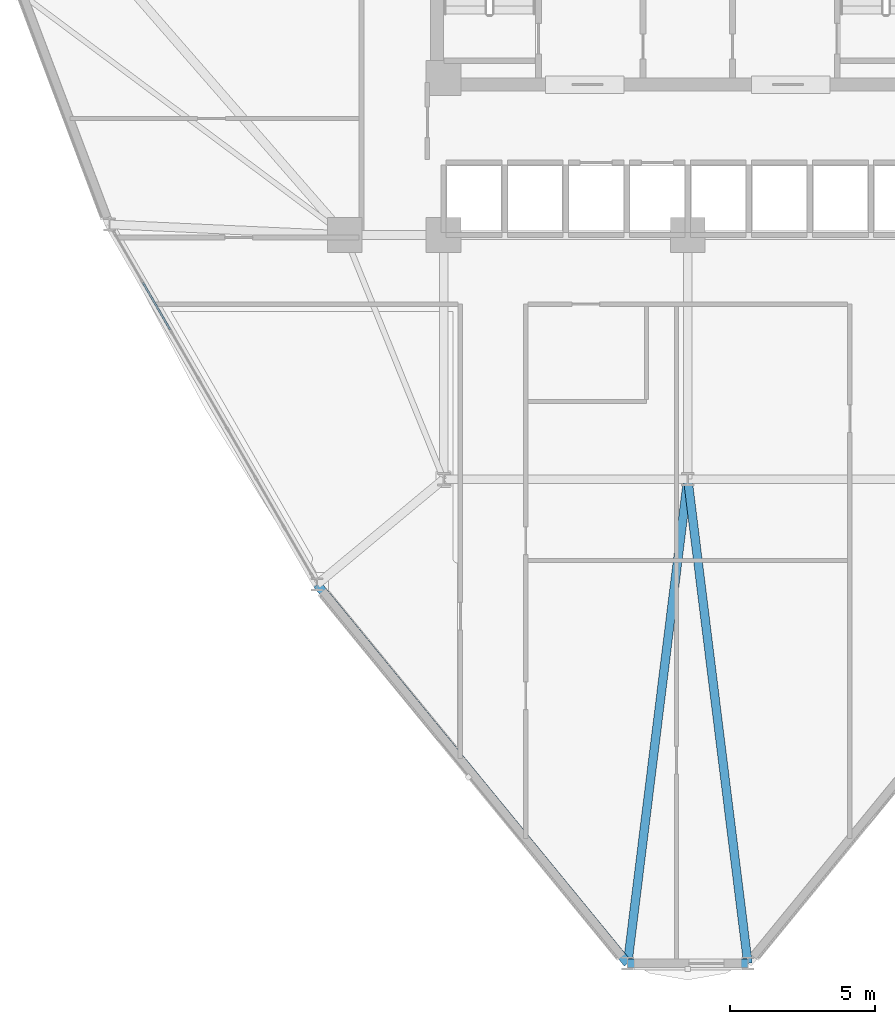
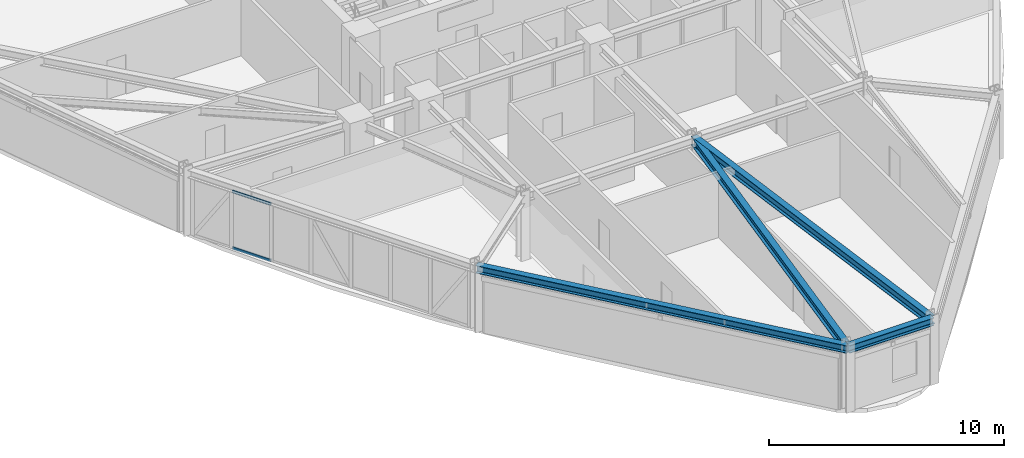
# One storey, part 3 of 17: 4 beams, 2 members, 1 element without a shape of its own.
"""IFC4 building model written with IfcOpenShell, lengths in metres."""

from ifc_helpers import new_model, si_unit, derived_unit, direction, frame, origin, origin_2d, place, context, subcontext, project, spatial, hollow_rectangle, i_section, extrude, source, transform, mapped, material, layer, layer_set, material_profile, profile_set, type_object, element, aggregate, save


model = new_model("IFC4")

# Units and contexts
model_context = context("Model", 3, precision=1e-05, world=origin(), true_north=direction((0.0, 1.0)))
body_context = subcontext(model_context, "Body", "Model", "MODEL_VIEW")
ifc_project = project(units=[si_unit("LENGTHUNIT", "METRE"), si_unit("AREAUNIT", "SQUARE_METRE"), si_unit("VOLUMEUNIT", "CUBIC_METRE"), si_unit("PLANEANGLEUNIT", "RADIAN"), si_unit("MASSUNIT", "GRAM", prefix="KILO"), derived_unit("THERMALTRANSMITTANCEUNIT", [(si_unit("POWERUNIT", "WATT"), 1), (si_unit("LENGTHUNIT", "METRE"), -2), (si_unit("THERMODYNAMICTEMPERATUREUNIT", "KELVIN"), -1)])], contexts=[model_context])

# Site, building, storey
site_placement = place(None, origin())
site = spatial("IfcSite", under=ifc_project, at=site_placement, CompositionType="ELEMENT")
building_placement = place(site_placement, origin())
building = spatial("IfcBuilding", under=site, at=building_placement, Name="Korsvarv Bourse and Concert Hall", CompositionType="ELEMENT")
storey_placement = place(building_placement, frame((0.0, 0.0, 102.60009765625)))
storey = spatial("IfcBuildingStorey", under=building, at=storey_placement, Name="L25", CompositionType="ELEMENT", Elevation=102.60009765625)

# Beams
ifc_material_1 = material(Name="Steel S355", Category="steel")
ifc_material_profile_1 = material_profile(ifc_material_1, i_section(OverallWidth=0.300048828125, OverallDepth=0.39990234375, WebThickness=0.013427734375, FlangeThickness=0.02392578125, FilletRadius=0.02099609375, at=origin_2d()), Name="HEB 400")
ifc_profile_set_1 = profile_set([ifc_material_profile_1], Name="Steel S355")
beam_type_1 = type_object("IfcBeamType", Name="BM-HEB400", PredefinedType="SPANDREL", material=ifc_profile_set_1)
shared_shape_1 = source(origin(), body_context, "Body", "SweptSolid", [
    extrude(i_section(OverallWidth=0.300048828125, OverallDepth=0.39990234375, WebThickness=0.013427734375, FlangeThickness=0.02392578125, FilletRadius=0.02099609375, at=origin_2d()), origin(), (0.0, 0.0, 1.0), 16.8564453125),
])
beam_1_placement = place(storey_placement, frame((23.248779296875, 20.3828125, 3.199951171875), z_axis=(0.63375425105, -0.773534452546, 0.0), x_axis=(0.773534452546, 0.63375425105, 0.0)))
element("IfcBeam", 1, at=beam_1_placement, inside=storey, type_object=beam_type_1, Name="L25 beam B-09", PredefinedType="SPANDREL", context=body_context, shape_type="MappedRepresentation", body=[
    mapped(shared_shape_1, transform((0.0, 0.0, 0.0), scale=1.0)),
])
shared_shape_2 = source(origin(), body_context, "Body", "SweptSolid", [
    extrude(i_section(OverallWidth=0.300048828125, OverallDepth=0.39990234375, WebThickness=0.013427734375, FlangeThickness=0.02392578125, FilletRadius=0.02099609375, at=origin_2d()), origin(), (0.0, 0.0, 1.0), 4.13671875),
])
beam_2_placement = place(storey_placement, frame((33.931640625, 7.34375, 3.199951171875), z_axis=(1.0, 0.0, 0.0), x_axis=(0.0, 1.0, 0.0)))
element("IfcBeam", 2, at=beam_2_placement, inside=storey, type_object=beam_type_1, Name="L25 beam B-09", PredefinedType="SPANDREL", context=body_context, shape_type="MappedRepresentation", body=[
    mapped(shared_shape_2, transform((0.0, 0.0, 0.0), scale=1.0)),
])
ifc_material_profile_2 = material_profile(ifc_material_1, i_section(OverallWidth=0.300048828125, OverallDepth=0.449951171875, WebThickness=0.013916015625, FlangeThickness=0.02587890625, FilletRadius=0.02099609375, at=origin_2d()), Name="HEB 450")
ifc_profile_set_2 = profile_set([ifc_material_profile_2], Name="Steel S355")
beam_type_2 = type_object("IfcBeamType", Name="BM-HEB450", PredefinedType="SPANDREL", material=ifc_profile_set_2)
shared_shape_3 = source(origin(), body_context, "Body", "SweptSolid", [
    extrude(i_section(OverallWidth=0.300048828125, OverallDepth=0.449951171875, WebThickness=0.013916015625, FlangeThickness=0.02587890625, FilletRadius=0.02099609375, at=origin_2d()), origin(), (0.0, 0.0, 1.0), 16.7841796875),
])
for number, where, z_axis, x_axis, name in (
    (3, (33.931640625, 7.34375, 3.1748046875), (0.123232656878, 0.992377807228, 0.0), (-0.992377807228, 0.123232656878, 0.0), "L25 beam B-08"),
    (4, (38.068359375, 7.34375, 3.1748046875), (-0.123232656878, 0.992377807228, 0.0), (-0.992377807228, -0.123232656878, 0.0), "L25 beam B-08"),
):
    element("IfcBeam", number, at=place(storey_placement, frame(where, z_axis=z_axis, x_axis=x_axis)), inside=storey, type_object=beam_type_2, Name=name, PredefinedType="SPANDREL", context=body_context, shape_type="MappedRepresentation", body=[
        mapped(shared_shape_3, transform((0.0, 0.0, 0.0), scale=1.0)),
    ])

# Curtain wall, members
ifc_material_2 = material(Name="Anodised aluminium and triple low-E glazing", Category="glass")
ifc_layer = layer(ifc_material_2, 0.2099609375)
ifc_layer_set = layer_set([ifc_layer], Name="Anodised aluminium and triple low-E glazing")
curtain_wall_type = type_object("IfcCurtainWallType", Name="CW-SYS-2", PredefinedType="NOTDEFINED", material=ifc_layer_set)
curtain_wall_placement = place(storey_placement, origin())
curtain_wall = element("IfcCurtainWall", 5, at=curtain_wall_placement, inside=storey, type_object=curtain_wall_type, Name="L25 CW2 curtain wall CW-L25-F07", PredefinedType="NOTDEFINED")
ifc_material_3 = material(Name="Extruded aluminium EN AW-6063 T66", Category="aluminium")
ifc_material_profile_3 = material_profile(ifc_material_3, hollow_rectangle(XDim=0.06494140625, YDim=0.139892578125, WallThickness=0.00390625, at=origin_2d()), Name="ALU-T 65x140")
ifc_profile_set_3 = profile_set([ifc_material_profile_3], Name="Extruded aluminium EN AW-6063 T66")
member_type = type_object("IfcMemberType", Name="CWT-140", PredefinedType="USERDEFINED", material=ifc_profile_set_3)
shared_shape_4 = source(origin(), body_context, "Body", "SweptSolid", [
    extrude(hollow_rectangle(XDim=0.06494140625, YDim=0.139892578125, WallThickness=0.00390625, at=origin_2d()), origin(), (0.0, 0.0, 1.0), 1.881103515625),
])
member_1_placement = place(storey_placement, frame((17.252685546875, 30.768310546875, 0.032470703125), z_axis=(0.50003325389, -0.866006203791, 0.0), x_axis=(0.866006203791, 0.50003325389, 0.0)))
member_1 = element("IfcMember", 6, at=member_1_placement, type_object=member_type, Name="CW2 transom 2.1", ObjectType="TRANSOM", PredefinedType="USERDEFINED", context=body_context, shape_type="MappedRepresentation", body=[
    mapped(shared_shape_4, transform((0.0, 0.0, 0.0), scale=1.0)),
])
member_2_placement = place(storey_placement, frame((17.252685546875, 30.768310546875, 2.96728515625), z_axis=(0.50003325389, -0.866006203791, 0.0), x_axis=(0.866006203791, 0.50003325389, 0.0)))
member_2 = element("IfcMember", 7, at=member_2_placement, type_object=member_type, Name="CW2 transom 2.2", ObjectType="TRANSOM", PredefinedType="USERDEFINED", context=body_context, shape_type="MappedRepresentation", body=[
    mapped(shared_shape_4, transform((0.0, 0.0, 0.0), scale=1.0)),
])
aggregate(curtain_wall, [member_1, member_2])

save(model, "model.ifc")
